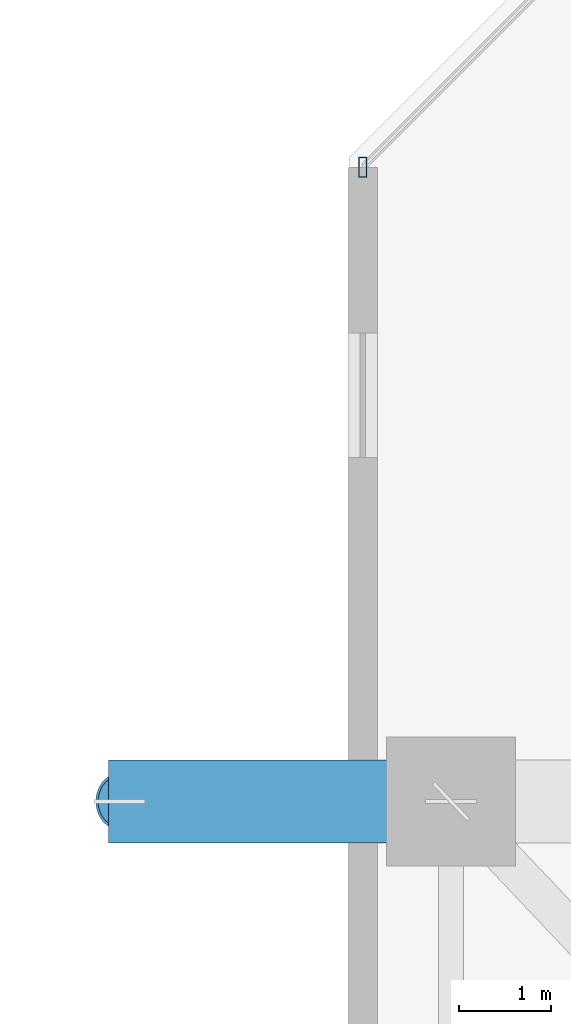
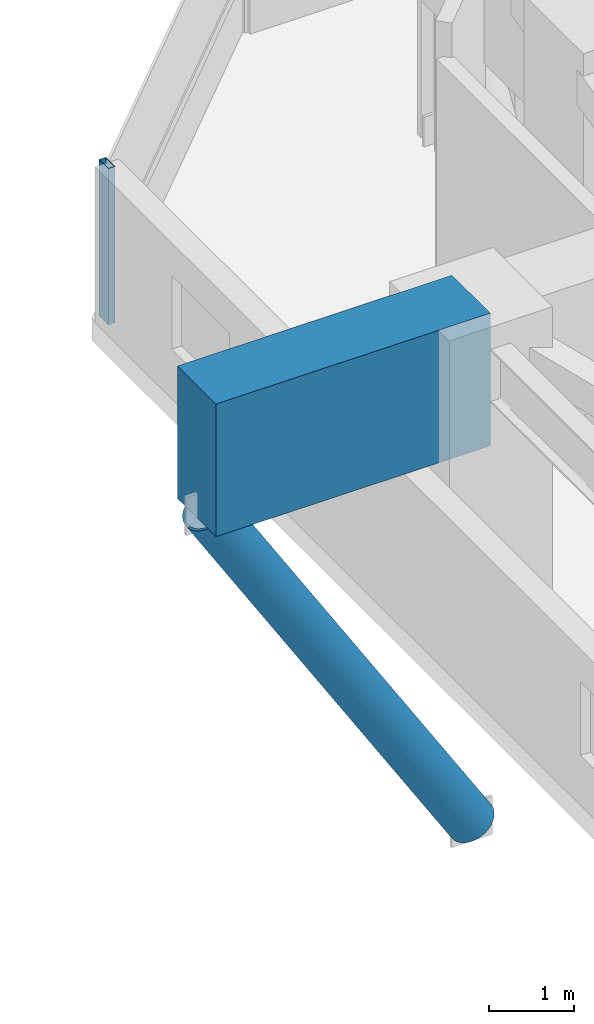
# One storey, part 16 of 38: 2 members, 1 beam, 1 element without a shape of its own.
"""IFC4 building model written with IfcOpenShell, lengths in metres."""

from ifc_helpers import new_model, si_unit, direction, frame, origin, origin_2d, place, context, subcontext, project, spatial, rectangle, hollow_rectangle, hollow_circle, extrude, material, material_profile, profile_set, type_object, element, aggregate, save


model = new_model("IFC4")

# Units and contexts
model_context = context("Model", 3, precision=1e-05, world=origin(), true_north=direction((0.0, 1.0)))
body_context = subcontext(model_context, "Body", "Model", "MODEL_VIEW")
ifc_project = project(units=[si_unit("LENGTHUNIT", "METRE"), si_unit("AREAUNIT", "SQUARE_METRE"), si_unit("VOLUMEUNIT", "CUBIC_METRE"), si_unit("PLANEANGLEUNIT", "RADIAN"), si_unit("MASSUNIT", "GRAM", prefix="KILO")], contexts=[model_context])

# Site, building, storey
site_placement = place(None, origin())
site = spatial("IfcSite", under=ifc_project, at=site_placement, CompositionType="ELEMENT")
building_placement = place(site_placement, origin())
building = spatial("IfcBuilding", under=site, at=building_placement, Name="Thornwick Lancets Civic Towers", CompositionType="ELEMENT")
storey_placement = place(building_placement, frame((0.0, 0.0, 71.699951171875)))
storey = spatial("IfcBuildingStorey", under=building, at=storey_placement, Name="L18", CompositionType="ELEMENT", Elevation=71.699951171875)

# Beam
ifc_material_1 = material(Name="Concrete C60/75", Category="concrete")
ifc_material_profile_1 = material_profile(ifc_material_1, rectangle(XDim=0.89990234375, YDim=1.89990234375, at=origin_2d()), Name="RC 900x1900")
ifc_profile_set_1 = profile_set([ifc_material_profile_1], Name="Concrete C60/75")
beam_type = type_object("IfcBeamType", Name="BM_TR_RC1900", PredefinedType="BEAM", material=ifc_profile_set_1)
beam_placement = place(storey_placement, frame((71.199951171875, 40.0, 3.25), z_axis=(-1.0, 0.0, 0.0), x_axis=(0.0, -1.0, 0.0)))
element("IfcBeam", 1, at=beam_placement, inside=storey, type_object=beam_type, Name="TG-CANT-L19-B09", PredefinedType="BEAM", context=body_context, shape_type="SweptSolid", body=[
    extrude(rectangle(XDim=0.89990234375, YDim=1.89990234375, at=origin_2d()), origin(), (0.0, 0.0, 1.0), 3.719970703125),
])

# Curtain wall, member
ifc_material_2 = material(Name="Low-zone chamfered-corner unitised glass curtain wall", Category="glass")
curtain_wall_type = type_object("IfcCurtainWallType", Name="CW_SYS_03", PredefinedType="NOTDEFINED", material=ifc_material_2)
curtain_wall_placement = place(storey_placement, origin())
curtain_wall = element("IfcCurtainWall", 2, at=curtain_wall_placement, inside=storey, type_object=curtain_wall_type, Name="L18 Curtain Wall CW-L18-B-E5", PredefinedType="NOTDEFINED")
ifc_material_3 = material(Name="Thermally broken bronze aluminium S355", Category="steel")
ifc_material_profile_2 = material_profile(ifc_material_3, hollow_rectangle(XDim=0.090087890625, YDim=0.219970703125, WallThickness=0.00634765625, at=origin_2d()), Name="RHS 220x90x6.3")
ifc_profile_set_2 = profile_set([ifc_material_profile_2], Name="Thermally broken bronze aluminium S355")
member_type_1 = type_object("IfcMemberType", Name="CW_MUL_220", PredefinedType="MULLION", material=ifc_profile_set_2)
member_1_placement = place(storey_placement, frame((70.240966796875, 46.887939453125, 0.0), z_axis=(0.0, 0.0, 1.0), x_axis=(1.0, 0.0, 0.0)))
member_1 = element("IfcMember", 3, at=member_1_placement, type_object=member_type_1, Name="CW-L18-B-E5 Mullion 1", PredefinedType="MULLION", context=body_context, shape_type="SweptSolid", body=[
    extrude(hollow_rectangle(XDim=0.090087890625, YDim=0.219970703125, WallThickness=0.00634765625, at=origin_2d()), origin(), (0.0, 0.0, 1.0), 2.239990234375),
])
aggregate(curtain_wall, [member_1])

# Member
ifc_material_4 = material(Name="Steel S460M", Category="steel")
ifc_material_profile_3 = material_profile(ifc_material_4, hollow_circle(Radius=0.304931640625, WallThickness=0.030029296875, at=origin_2d()), Name="CHS 610x30")
ifc_profile_set_3 = profile_set([ifc_material_profile_3], Name="Steel S460M")
member_type_2 = type_object("IfcMemberType", Name="MEM_STRUT_CHS610", PredefinedType="STRUT", material=ifc_profile_set_3)
member_2_placement = place(storey_placement, frame((71.199951171875, 40.0, -3.349853515625), z_axis=(-0.531975728187, 0.0, 0.846759602614), x_axis=(0.0, -1.0, 0.0)))
element("IfcMember", 4, at=member_2_placement, inside=storey, type_object=member_type_2, Name="L19 Jenga Transfer Raking Strut B09", PredefinedType="STRUT", context=body_context, shape_type="SweptSolid", body=[
    extrude(hollow_circle(Radius=0.304931640625, WallThickness=0.030029296875, at=origin_2d()), origin(), (0.0, 0.0, 1.0), 6.766845703125),
])

save(model, "model.ifc")
